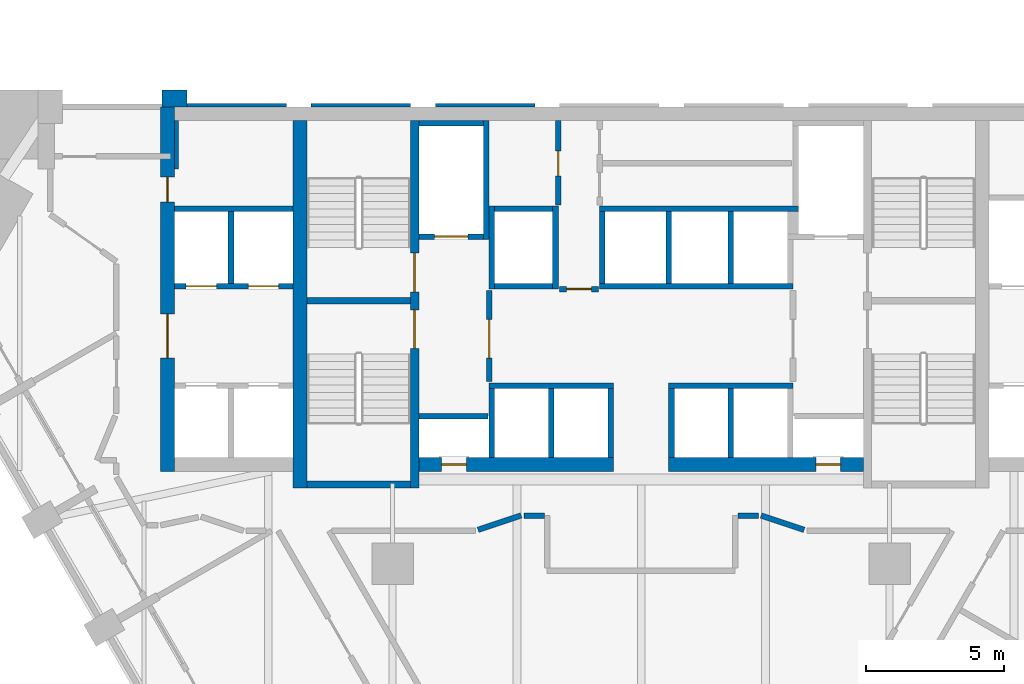
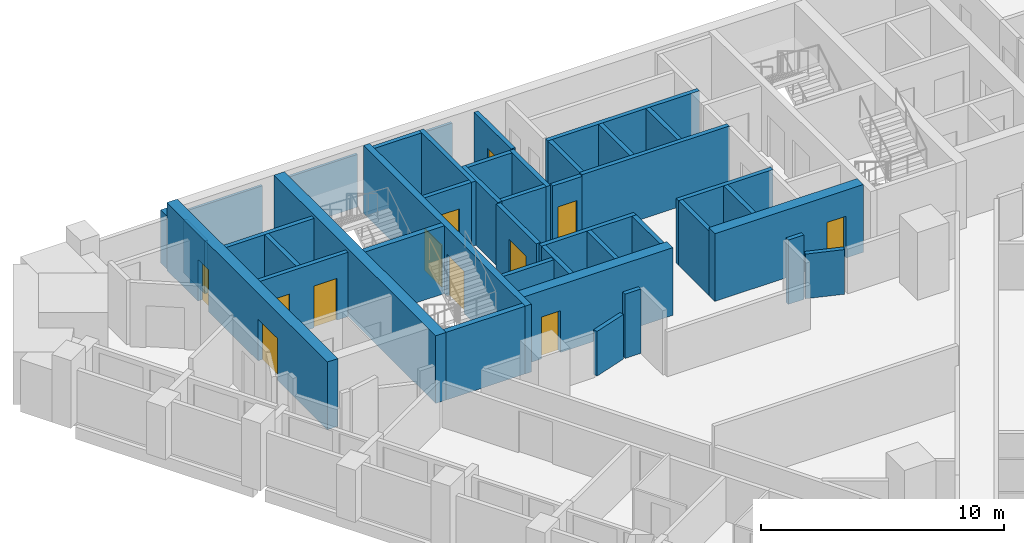
# One storey, part 7 of 11: 42 walls, 12 doors, 12 openings.
"""IFC4 building model written with IfcOpenShell, lengths in metres."""

from ifc_helpers import new_model, si_unit, direction, frame, frame_2d, origin, place, context, subcontext, project, spatial, polyline, rectangle, outline, extrude, material, layer, layer_set, type_object, element, fill, save


model = new_model("IFC4")

# Units and contexts
model_context = context("Model", 3, precision=1e-05, world=origin(), true_north=direction((0.0, 1.0)))
body_context = subcontext(model_context, "Body", "Model", "MODEL_VIEW")
ifc_project = project(units=[si_unit("LENGTHUNIT", "METRE"), si_unit("AREAUNIT", "SQUARE_METRE"), si_unit("VOLUMEUNIT", "CUBIC_METRE"), si_unit("PLANEANGLEUNIT", "RADIAN"), si_unit("MASSUNIT", "GRAM", prefix="KILO")], contexts=[model_context])

# Site, building, storey
site_placement = place(None, origin())
site = spatial("IfcSite", under=ifc_project, at=site_placement, CompositionType="ELEMENT")
building_placement = place(site_placement, origin())
building = spatial("IfcBuilding", under=site, at=building_placement, Name="Calabash Gate Tower", CompositionType="ELEMENT")
storey_placement = place(building_placement, frame((0.0, 0.0, 125.800048828125)))
storey = spatial("IfcBuildingStorey", under=building, at=storey_placement, Name="L29", CompositionType="ELEMENT", Elevation=125.800048828125)

# Walls
ifc_material_1 = material(Name="Terracotta brick masonry, exposed face", Category="masonry")
ifc_layer_1 = layer(ifc_material_1, 1.199951171875)
ifc_layer_set_1 = layer_set([ifc_layer_1], Name="Brick end wall 1200")
wall_type_1 = type_object("IfcWallType", Name="Brick end wall 1200", PredefinedType="SOLIDWALL", material=ifc_layer_set_1)
wall_1_placement = place(storey_placement, origin())
element("IfcWall", 1, at=wall_1_placement, inside=storey, type_object=wall_type_1, Name="Brick pier S08 N6.7", PredefinedType="SOLIDWALL", context=body_context, shape_type="SweptSolid", body=[
    extrude(outline(polyline([(-16.447021484375, 19.052490234375), (-16.447021484375, 19.652587890625), (-17.346923828125, 19.652587890625), (-17.346923828125, 19.052490234375), (-16.447021484375, 19.052490234375)])), origin(), (0.0, 0.0, 1.0), 2.64990234375),
])
ifc_material_2 = material(Name="Terracotta brick masonry, exposed face", Category="masonry")
ifc_layer_2 = layer(ifc_material_2, 0.300048828125)
ifc_layer_set_2 = layer_set([ifc_layer_2], Name="Brick loggia cheek wall 300")
wall_type_2 = type_object("IfcWallType", Name="Brick loggia cheek wall 300", PredefinedType="SOLIDWALL", material=ifc_layer_set_2)
wall_2_placement = place(storey_placement, origin())
element("IfcWall", 2, at=wall_2_placement, inside=storey, type_object=wall_type_2, Name="Loggia cheek S08 N6.7", PredefinedType="SOLIDWALL", context=body_context, shape_type="SweptSolid", body=[
    extrude(outline(polyline([(-16.89990234375, 18.5546875), (-16.746826171875, 18.5546875), (-16.746826171875, 16.802490234375), (-16.89990234375, 16.802490234375), (-16.89990234375, 18.5546875)])), origin(), (0.0, 0.0, 1.0), 2.64990234375),
])
ifc_material_3 = material(Name="Concrete C80/95", Category="concrete")
ifc_layer_3 = layer(ifc_material_3, 0.25)
ifc_layer_set_3 = layer_set([ifc_layer_3], Name="Core wall 250 Concrete C80/95")
wall_type_3 = type_object("IfcWallType", Name="Core wall 250 Concrete C80/95", PredefinedType="SHEAR", material=ifc_layer_set_3)
for number, where, z_axis, x_axis, name in (
    (3, (-12.10009765625, 12.027587890625, 0.0), (0.0, 0.0, 1.0), (1.0, 0.0, 0.0), "Core wall Z2-MIDW L29"),
    (4, (-12.10009765625, 5.377685546875, 0.0), (0.0, 0.0, 1.0), (1.0, 0.0, 0.0), "Core wall Z2-SSW L29"),
):
    element("IfcWall", number, at=place(storey_placement, frame(where, z_axis=z_axis, x_axis=x_axis)), inside=storey, type_object=wall_type_3, Name=name, PredefinedType="SHEAR", context=body_context, shape_type="SweptSolid", body=[
        extrude(rectangle(XDim=3.75, YDim=0.25, at=frame_2d((1.875, 0.0))), origin(), (0.0, 0.0, 1.0), 3.39990234375),
    ])

# Wall, openings, doors
ifc_material_4 = material(Name="Concrete C80/95", Category="concrete")
ifc_layer_4 = layer(ifc_material_4, 0.300048828125)
ifc_layer_set_4 = layer_set([ifc_layer_4], Name="Core wall 300 Concrete C80/95")
wall_type_4 = type_object("IfcWallType", Name="Core wall 300 Concrete C80/95", PredefinedType="SHEAR", material=ifc_layer_set_4)
wall_3_placement = place(storey_placement, frame((-8.199951171875, 5.252685546875, 0.0), z_axis=(0.0, 0.0, 1.0), x_axis=(0.0, 1.0, 0.0)))
wall_3 = element("IfcWall", 5, at=wall_3_placement, inside=storey, type_object=wall_type_4, Name="Core wall Z2-PARTW L29", PredefinedType="SHEAR", context=body_context, shape_type="SweptSolid", body=[
    extrude(rectangle(XDim=13.2998046875, YDim=0.300048828125, at=frame_2d((6.64990234375, 0.0))), origin(), (0.0, 0.0, 1.0), 3.39990234375),
])
opening_1_placement = place(wall_3_placement, frame((7.10009765625, 0.0, 0.0)))
opening_1 = element("IfcOpeningElement", 6, at=opening_1_placement, cuts=wall_3, Name="Opening H8-013", PredefinedType="OPENING", context=body_context, shape_type="SweptSolid", body=[
    extrude(rectangle(XDim=1.39990234375, YDim=2.10009765625, at=frame_2d((0.699951171875, 1.050048828125))), frame((0.0, 0.159912109375, 0.0), z_axis=(0.0, -1.0, 0.0), x_axis=(1.0, 0.0, 0.0)), (0.0, 0.0, 1.0), 0.320068359375),
])
opening_2_placement = place(wall_3_placement, frame((5.050048828125, 0.0, 0.0)))
opening_2 = element("IfcOpeningElement", 7, at=opening_2_placement, cuts=wall_3, Name="Opening H8-014", PredefinedType="OPENING", context=body_context, shape_type="SweptSolid", body=[
    extrude(rectangle(XDim=1.39990234375, YDim=2.10009765625, at=frame_2d((0.699951171875, 1.050048828125))), frame((0.0, 0.159912109375, 0.0), z_axis=(0.0, -1.0, 0.0), x_axis=(1.0, 0.0, 0.0)), (0.0, 0.0, 1.0), 0.320068359375),
])
ifc_material_5 = material(Name="Steel fire door set with fire-resisting glazing", Category="steel")
door_type_1 = type_object("IfcDoorType", Name="Fire door D05 1400x2100 FD90", OperationType="NOTDEFINED", PredefinedType="DOOR", material=ifc_material_5)
door_1_placement = place(opening_1_placement, origin())
door_1 = element("IfcDoor", 8, at=door_1_placement, inside=storey, type_object=door_type_1, Name="Exit stair door ST1", OperationType="SINGLE_SWING_LEFT", OverallHeight=2.10009765625, OverallWidth=1.39990234375, PredefinedType="DOOR", context=body_context, shape_type="SweptSolid", body=[
    extrude(rectangle(XDim=1.39990234375, YDim=2.10009765625, at=frame_2d((0.699951171875, 1.050048828125))), frame((0.0, 0.02490234375, 0.0), z_axis=(0.0, -1.0, 0.0), x_axis=(1.0, 0.0, 0.0)), (0.0, 0.0, 1.0), 0.050048828125),
])
fill(opening_1, door_1)
door_2_placement = place(opening_2_placement, origin())
door_2 = element("IfcDoor", 9, at=door_2_placement, inside=storey, type_object=door_type_1, Name="Exit stair door ST2", OperationType="SINGLE_SWING_LEFT", OverallHeight=2.10009765625, OverallWidth=1.39990234375, PredefinedType="DOOR", context=body_context, shape_type="SweptSolid", body=[
    extrude(rectangle(XDim=1.39990234375, YDim=2.10009765625, at=frame_2d((0.699951171875, 1.050048828125))), frame((0.0, 0.02490234375, 0.0), z_axis=(0.0, -1.0, 0.0), x_axis=(1.0, 0.0, 0.0)), (0.0, 0.0, 1.0), 0.050048828125),
])
fill(opening_2, door_2)

# Wall
ifc_material_6 = material(Name="Concrete C80/95", Category="concrete")
ifc_layer_5 = layer(ifc_material_6, 0.5)
ifc_layer_set_5 = layer_set([ifc_layer_5], Name="Core wall 500 Concrete C80/95")
wall_type_5 = type_object("IfcWallType", Name="Core wall 500 Concrete C80/95", PredefinedType="SHEAR", material=ifc_layer_set_5)
wall_4_placement = place(storey_placement, frame((-12.35009765625, 5.252685546875, 0.0), z_axis=(0.0, 0.0, 1.0), x_axis=(0.0, 1.0, 0.0)))
element("IfcWall", 10, at=wall_4_placement, inside=storey, type_object=wall_type_5, Name="Core wall Z2-COLW L29", PredefinedType="SHEAR", context=body_context, shape_type="SweptSolid", body=[
    extrude(rectangle(XDim=13.2998046875, YDim=0.5, at=frame_2d((6.64990234375, 0.0))), origin(), (0.0, 0.0, 1.0), 3.39990234375),
])

# Wall, opening, door
wall_5_placement = place(storey_placement, frame((-8.050048828125, 6.1025390625, 0.0), z_axis=(0.0, 0.0, 1.0), x_axis=(1.0, 0.0, 0.0)))
wall_5 = element("IfcWall", 11, at=wall_5_placement, inside=storey, type_object=wall_type_5, Name="Core wall Z2-SA L29", PredefinedType="SHEAR", context=body_context, shape_type="SweptSolid", body=[
    extrude(rectangle(XDim=7.050048828125, YDim=0.5, at=frame_2d((3.52490234375, 0.0))), origin(), (0.0, 0.0, 1.0), 3.39990234375),
])
opening_3_placement = place(wall_5_placement, frame((0.824951171875, 0.0, 0.0)))
opening_3 = element("IfcOpeningElement", 12, at=opening_3_placement, cuts=wall_5, Name="Opening H8-012", PredefinedType="OPENING", context=body_context, shape_type="SweptSolid", body=[
    extrude(rectangle(XDim=0.89990234375, YDim=2.10009765625, at=frame_2d((0.449951171875, 1.050048828125))), frame((0.0, 0.260009765625, 0.0), z_axis=(0.0, -1.0, 0.0), x_axis=(1.0, 0.0, 0.0)), (0.0, 0.0, 1.0), 0.52001953125),
])
ifc_material_7 = material(Name="Steel fire door set with fire-resisting glazing", Category="steel")
door_type_2 = type_object("IfcDoorType", Name="Fire door D07 900x2100 FD90", OperationType="NOTDEFINED", PredefinedType="DOOR", material=ifc_material_7)
door_3_placement = place(opening_3_placement, origin())
door_3 = element("IfcDoor", 13, at=door_3_placement, inside=storey, type_object=door_type_2, Name="Electrical Riser W door", OperationType="SINGLE_SWING_LEFT", OverallHeight=2.10009765625, OverallWidth=0.89990234375, PredefinedType="DOOR", context=body_context, shape_type="SweptSolid", body=[
    extrude(rectangle(XDim=0.89990234375, YDim=2.10009765625, at=frame_2d((0.449951171875, 1.050048828125))), frame((0.0, 0.02490234375, 0.0), z_axis=(0.0, -1.0, 0.0), x_axis=(1.0, 0.0, 0.0)), (0.0, 0.0, 1.0), 0.050048828125),
])
fill(opening_3, door_3)

wall_6_placement = place(storey_placement, frame((1.0, 6.1025390625, 0.0), z_axis=(0.0, 0.0, 1.0), x_axis=(1.0, 0.0, 0.0)))
wall_6 = element("IfcWall", 14, at=wall_6_placement, inside=storey, type_object=wall_type_5, Name="Core wall Z2-SB L29", PredefinedType="SHEAR", context=body_context, shape_type="SweptSolid", body=[
    extrude(rectangle(XDim=7.050048828125, YDim=0.5, at=frame_2d((3.52490234375, 0.0))), origin(), (0.0, 0.0, 1.0), 3.39990234375),
])
opening_4_placement = place(wall_6_placement, frame((5.324951171875, 0.0, 0.0)))
opening_4 = element("IfcOpeningElement", 15, at=opening_4_placement, cuts=wall_6, Name="Opening H8-011", PredefinedType="OPENING", context=body_context, shape_type="SweptSolid", body=[
    extrude(rectangle(XDim=0.89990234375, YDim=2.10009765625, at=frame_2d((0.449951171875, 1.050048828125))), frame((0.0, 0.260009765625, 0.0), z_axis=(0.0, -1.0, 0.0), x_axis=(1.0, 0.0, 0.0)), (0.0, 0.0, 1.0), 0.52001953125),
])
door_4_placement = place(opening_4_placement, origin())
door_4 = element("IfcDoor", 16, at=door_4_placement, inside=storey, type_object=door_type_2, Name="Mechanical Riser E door", OperationType="SINGLE_SWING_RIGHT", OverallHeight=2.10009765625, OverallWidth=0.89990234375, PredefinedType="DOOR", context=body_context, shape_type="SweptSolid", body=[
    extrude(rectangle(XDim=0.89990234375, YDim=2.10009765625, at=frame_2d((0.449951171875, 1.050048828125))), frame((0.0, 0.02490234375, 0.0), z_axis=(0.0, -1.0, 0.0), x_axis=(1.0, 0.0, 0.0)), (0.0, 0.0, 1.0), 0.050048828125),
])
fill(opening_4, door_4)

# Wall, openings, doors
wall_7_placement = place(storey_placement, frame((-17.14990234375, 5.8525390625, 0.0), z_axis=(0.0, 0.0, 1.0), x_axis=(0.0, 1.0, 0.0)))
wall_7 = element("IfcWall", 17, at=wall_7_placement, inside=storey, type_object=wall_type_5, Name="Core wall Z2-ENDW L29", PredefinedType="SHEAR", context=body_context, shape_type="SweptSolid", body=[
    extrude(rectangle(XDim=13.199951171875, YDim=0.5, at=frame_2d((6.60009765625, 0.0))), origin(), (0.0, 0.0, 1.0), 3.39990234375),
])
opening_5_placement = place(wall_7_placement, frame((4.10009765625, 0.0, 0.0)))
opening_5 = element("IfcOpeningElement", 18, at=opening_5_placement, cuts=wall_7, Name="Opening H8-003", PredefinedType="OPENING", context=body_context, shape_type="SweptSolid", body=[
    extrude(rectangle(XDim=1.60009765625, YDim=2.10009765625, at=frame_2d((0.800048828125, 1.050048828125))), frame((0.0, 0.260009765625, 0.0), z_axis=(0.0, -1.0, 0.0), x_axis=(1.0, 0.0, 0.0)), (0.0, 0.0, 1.0), 0.52001953125),
])
opening_6_placement = place(wall_7_placement, frame((9.75, 0.0, 0.0)))
opening_6 = element("IfcOpeningElement", 19, at=opening_6_placement, cuts=wall_7, Name="Opening H8-004", PredefinedType="OPENING", context=body_context, shape_type="SweptSolid", body=[
    extrude(rectangle(XDim=0.89990234375, YDim=2.10009765625, at=frame_2d((0.449951171875, 1.050048828125))), frame((0.0, 0.260009765625, 0.0), z_axis=(0.0, -1.0, 0.0), x_axis=(1.0, 0.0, 0.0)), (0.0, 0.0, 1.0), 0.52001953125),
])
ifc_material_8 = material(Name="Steel fire door set with fire-resisting glazing", Category="steel")
door_type_3 = type_object("IfcDoorType", Name="Double fire door D08 1600x2100 FD60", OperationType="DOUBLE_DOOR_SINGLE_SWING", PredefinedType="DOOR", material=ifc_material_8)
door_5_placement = place(opening_5_placement, origin())
door_5 = element("IfcDoor", 20, at=door_5_placement, inside=storey, type_object=door_type_3, Name="Low-rise Lift Lobby W door", OperationType="DOUBLE_DOOR_SINGLE_SWING", OverallHeight=2.10009765625, OverallWidth=1.60009765625, PredefinedType="DOOR", context=body_context, shape_type="SweptSolid", body=[
    extrude(rectangle(XDim=1.60009765625, YDim=2.10009765625, at=frame_2d((0.800048828125, 1.050048828125))), frame((0.0, 0.02490234375, 0.0), z_axis=(0.0, -1.0, 0.0), x_axis=(1.0, 0.0, 0.0)), (0.0, 0.0, 1.0), 0.050048828125),
])
fill(opening_5, door_5)
ifc_material_9 = material(Name="Steel fire door set with fire-resisting glazing", Category="steel")
door_type_4 = type_object("IfcDoorType", Name="Fire door D06 900x2100 FD60", OperationType="NOTDEFINED", PredefinedType="DOOR", material=ifc_material_9)
door_6_placement = place(opening_6_placement, origin())
door_6 = element("IfcDoor", 21, at=door_6_placement, inside=storey, type_object=door_type_4, Name="Luggage Store door", OperationType="SINGLE_SWING_RIGHT", OverallHeight=2.10009765625, OverallWidth=0.89990234375, PredefinedType="DOOR", context=body_context, shape_type="SweptSolid", body=[
    extrude(rectangle(XDim=0.89990234375, YDim=2.10009765625, at=frame_2d((0.449951171875, 1.050048828125))), frame((0.0, 0.02490234375, 0.0), z_axis=(0.0, -1.0, 0.0), x_axis=(1.0, 0.0, 0.0)), (0.0, 0.0, 1.0), 0.050048828125),
])
fill(opening_6, door_6)

# Walls
ifc_material_10 = material(Name="Gypsum board on steel studs, mineral wool", Category="steel")
ifc_layer_6 = layer(ifc_material_10, 0.199951171875)
ifc_layer_set_6 = layer_set([ifc_layer_6], Name="Partition 200 gypsum board EI 60")
wall_type_6 = type_object("IfcWallType", Name="Partition 200 gypsum board EI 60", PredefinedType="PARTITIONING", material=ifc_layer_set_6)
for number, where, z_axis, x_axis, name in (
    (22, (4.34228515625, 4.25244140625, 0.0), (0.0, 0.0, 1.0), (0.948668476379, -0.316272227557, 0.0), "Partition"),
    (23, (-5.905029296875, 3.7314453125, 0.0), (0.0, 0.0, 1.0), (0.948668476379, 0.316272227557, 0.0), "Partition"),
):
    element("IfcWall", number, at=place(storey_placement, frame(where, z_axis=z_axis, x_axis=x_axis)), inside=storey, type_object=wall_type_6, Name=name, PredefinedType="PARTITIONING", context=body_context, shape_type="SweptSolid", body=[
        extrude(rectangle(XDim=1.647216796875, YDim=0.199951171875, at=frame_2d((0.82373046875, 0.0))), origin(), (0.0, 0.0, 1.0), 2.24169921875),
    ])
for number, where, z_axis, x_axis, name in (
    (24, (-4.2421875, 4.252197265625, 0.0), (0.0, 0.0, 1.0), (0.999998041999, -0.001978887946, 0.0), "Partition"),
    (25, (3.501953125, 4.250732421875, 0.0), (0.0, 0.0, 1.0), (0.999998041999, 0.001978887946, 0.0), "Partition"),
):
    element("IfcWall", number, at=place(storey_placement, frame(where, z_axis=z_axis, x_axis=x_axis)), inside=storey, type_object=wall_type_6, Name=name, PredefinedType="PARTITIONING", context=body_context, shape_type="SweptSolid", body=[
        extrude(rectangle(XDim=0.740234375, YDim=0.199951171875, at=frame_2d((0.3701171875, 0.0))), origin(), (0.0, 0.0, 1.0), 3.22998046875),
    ])
ifc_material_11 = material(Name="Concrete C40/50", Category="concrete")
ifc_layer_7 = layer(ifc_material_11, 0.199951171875)
ifc_layer_set_7 = layer_set([ifc_layer_7], Name="Shaft wall 200 Concrete C40/50")
wall_type_7 = type_object("IfcWallType", Name="Shaft wall 200 Concrete C40/50", PredefinedType="SOLIDWALL", material=ifc_layer_set_7)
for number, where, z_axis, x_axis, name in (
    (26, (-5.39990234375, 6.3525390625, 0.0), (0.0, 0.0, 1.0), (0.0, 1.0, 0.0), "Shaft wall"),
    (27, (-3.25, 6.3525390625, 0.0), (0.0, 0.0, 1.0), (0.0, 1.0, 0.0), "Shaft wall"),
    (28, (-1.10009765625, 6.3525390625, 0.0), (0.0, 0.0, 1.0), (0.0, 1.0, 0.0), "Shaft wall"),
    (29, (1.10009765625, 6.3525390625, 0.0), (0.0, 0.0, 1.0), (0.0, 1.0, 0.0), "Shaft wall"),
    (30, (3.25, 6.3525390625, 0.0), (0.0, 0.0, 1.0), (0.0, 1.0, 0.0), "Shaft wall"),
    (31, (-8.050048828125, 7.8525390625, 0.0), (0.0, 0.0, 1.0), (1.0, 0.0, 0.0), "Shaft wall"),
):
    element("IfcWall", number, at=place(storey_placement, frame(where, z_axis=z_axis, x_axis=x_axis)), inside=storey, type_object=wall_type_7, Name=name, PredefinedType="SOLIDWALL", context=body_context, shape_type="SweptSolid", body=[
        extrude(rectangle(XDim=2.5, YDim=0.199951171875, at=frame_2d((1.25, 0.0))), origin(), (0.0, 0.0, 1.0), 3.22998046875),
    ])
for number, where, z_axis, x_axis, name in (
    (32, (-5.5, 8.95263671875, 0.0), (0.0, 0.0, 1.0), (1.0, 0.0, 0.0), "Shaft wall"),
    (33, (1.0, 8.95263671875, 0.0), (0.0, 0.0, 1.0), (1.0, 0.0, 0.0), "Shaft wall"),
):
    element("IfcWall", number, at=place(storey_placement, frame(where, z_axis=z_axis, x_axis=x_axis)), inside=storey, type_object=wall_type_7, Name=name, PredefinedType="SOLIDWALL", context=body_context, shape_type="SweptSolid", body=[
        extrude(rectangle(XDim=4.5, YDim=0.199951171875, at=frame_2d((2.25, 0.0))), origin(), (0.0, 0.0, 1.0), 3.22998046875),
    ])

# Wall, opening, door
wall_8_placement = place(storey_placement, frame((-5.5, 9.1025390625, 0.0), z_axis=(0.0, 0.0, 1.0), x_axis=(0.0, 1.0, 0.0)))
wall_8 = element("IfcWall", 34, at=wall_8_placement, inside=storey, type_object=wall_type_7, Name="Shaft wall", PredefinedType="SOLIDWALL", context=body_context, shape_type="SweptSolid", body=[
    extrude(rectangle(XDim=3.300048828125, YDim=0.199951171875, at=frame_2d((1.64990234375, 0.0))), origin(), (0.0, 0.0, 1.0), 3.22998046875),
])
opening_7_placement = place(wall_8_placement, frame((0.85009765625, 0.0, 0.0)))
opening_7 = element("IfcOpeningElement", 35, at=opening_7_placement, cuts=wall_8, Name="Opening H8-007", PredefinedType="OPENING", context=body_context, shape_type="SweptSolid", body=[
    extrude(rectangle(XDim=1.39990234375, YDim=2.10009765625, at=frame_2d((0.699951171875, 1.050048828125))), frame((0.0, 0.10986328125, 0.0), z_axis=(0.0, -1.0, 0.0), x_axis=(1.0, 0.0, 0.0)), (0.0, 0.0, 1.0), 0.219970703125),
])
door_7_placement = place(opening_7_placement, origin())
door_7 = element("IfcDoor", 36, at=door_7_placement, inside=storey, type_object=door_type_1, Name="Firefighting Lobby W door", OperationType="SINGLE_SWING_RIGHT", OverallHeight=2.10009765625, OverallWidth=1.39990234375, PredefinedType="DOOR", context=body_context, shape_type="SweptSolid", body=[
    extrude(rectangle(XDim=1.39990234375, YDim=2.10009765625, at=frame_2d((0.699951171875, 1.050048828125))), frame((0.0, 0.02490234375, 0.0), z_axis=(0.0, -1.0, 0.0), x_axis=(1.0, 0.0, 0.0)), (0.0, 0.0, 1.0), 0.050048828125),
])
fill(opening_7, door_7)

wall_9_placement = place(storey_placement, frame((-2.949951171875, 12.45263671875, 0.0), z_axis=(0.0, 0.0, 1.0), x_axis=(1.0, 0.0, 0.0)))
wall_9 = element("IfcWall", 37, at=wall_9_placement, inside=storey, type_object=wall_type_7, Name="Shaft wall", PredefinedType="SOLIDWALL", context=body_context, shape_type="SweptSolid", body=[
    extrude(rectangle(XDim=1.39990234375, YDim=0.199951171875, at=frame_2d((0.699951171875, 0.0))), origin(), (0.0, 0.0, 1.0), 3.22998046875),
])
opening_8_placement = place(wall_9_placement, frame((0.25, 0.0, 0.0)))
opening_8 = element("IfcOpeningElement", 38, at=opening_8_placement, cuts=wall_9, Name="Opening H8-005", PredefinedType="OPENING", context=body_context, shape_type="SweptSolid", body=[
    extrude(rectangle(XDim=0.89990234375, YDim=2.10009765625, at=frame_2d((0.449951171875, 1.050048828125))), frame((0.0, 0.10986328125, 0.0), z_axis=(0.0, -1.0, 0.0), x_axis=(1.0, 0.0, 0.0)), (0.0, 0.0, 1.0), 0.219970703125),
])
door_8_placement = place(opening_8_placement, origin())
door_8 = element("IfcDoor", 39, at=door_8_placement, inside=storey, type_object=door_type_4, Name="Service Corridor door", OperationType="SINGLE_SWING_RIGHT", OverallHeight=2.10009765625, OverallWidth=0.89990234375, PredefinedType="DOOR", context=body_context, shape_type="SweptSolid", body=[
    extrude(rectangle(XDim=0.89990234375, YDim=2.10009765625, at=frame_2d((0.449951171875, 1.050048828125))), frame((0.0, 0.02490234375, 0.0), z_axis=(0.0, -1.0, 0.0), x_axis=(1.0, 0.0, 0.0)), (0.0, 0.0, 1.0), 0.050048828125),
])
fill(opening_8, door_8)

# Wall, openings, doors
wall_10_placement = place(storey_placement, frame((-16.89990234375, 12.552490234375, 0.0), z_axis=(0.0, 0.0, 1.0), x_axis=(1.0, 0.0, 0.0)))
wall_10 = element("IfcWall", 40, at=wall_10_placement, inside=storey, type_object=wall_type_7, Name="Shaft wall", PredefinedType="SOLIDWALL", context=body_context, shape_type="SweptSolid", body=[
    extrude(rectangle(XDim=4.2998046875, YDim=0.199951171875, at=frame_2d((2.14990234375, 0.0))), origin(), (0.0, 0.0, 1.0), 3.22998046875),
])
opening_9_placement = place(wall_10_placement, frame((2.675048828125, 0.0, 0.0)))
opening_9 = element("IfcOpeningElement", 41, at=opening_9_placement, cuts=wall_10, Name="Opening LD-LR3", PredefinedType="OPENING", context=body_context, shape_type="SweptSolid", body=[
    extrude(rectangle(XDim=1.10009765625, YDim=2.10009765625, at=frame_2d((0.550048828125, 1.050048828125))), frame((0.0, 0.10986328125, 0.0), z_axis=(0.0, -1.0, 0.0), x_axis=(1.0, 0.0, 0.0)), (0.0, 0.0, 1.0), 0.219970703125),
])
opening_10_placement = place(wall_10_placement, frame((0.425048828125, 0.0, 0.0)))
opening_10 = element("IfcOpeningElement", 42, at=opening_10_placement, cuts=wall_10, Name="Opening LD-LR4", PredefinedType="OPENING", context=body_context, shape_type="SweptSolid", body=[
    extrude(rectangle(XDim=1.10009765625, YDim=2.10009765625, at=frame_2d((0.550048828125, 1.050048828125))), frame((0.0, 0.10986328125, 0.0), z_axis=(0.0, -1.0, 0.0), x_axis=(1.0, 0.0, 0.0)), (0.0, 0.0, 1.0), 0.219970703125),
])
ifc_material_12 = material(Name="Stainless steel sliding door leaves", Category="steel")
door_type_5 = type_object("IfcDoorType", Name="Lift landing door LS1 1100x2100 FD90", OperationType="DOUBLE_DOOR_SLIDING", PredefinedType="DOOR", material=ifc_material_12)
door_9_placement = place(opening_9_placement, origin())
door_9 = element("IfcDoor", 43, at=door_9_placement, inside=storey, type_object=door_type_5, Name="Lift landing door LR3", OperationType="DOUBLE_DOOR_SLIDING", OverallHeight=2.10009765625, OverallWidth=1.10009765625, PredefinedType="DOOR", context=body_context, shape_type="SweptSolid", body=[
    extrude(rectangle(XDim=1.10009765625, YDim=2.10009765625, at=frame_2d((0.550048828125, 1.050048828125))), frame((0.0, 0.02490234375, 0.0), z_axis=(0.0, -1.0, 0.0), x_axis=(1.0, 0.0, 0.0)), (0.0, 0.0, 1.0), 0.050048828125),
])
fill(opening_9, door_9)
door_10_placement = place(opening_10_placement, origin())
door_10 = element("IfcDoor", 44, at=door_10_placement, inside=storey, type_object=door_type_5, Name="Lift landing door LR4", OperationType="DOUBLE_DOOR_SLIDING", OverallHeight=2.10009765625, OverallWidth=1.10009765625, PredefinedType="DOOR", context=body_context, shape_type="SweptSolid", body=[
    extrude(rectangle(XDim=1.10009765625, YDim=2.10009765625, at=frame_2d((0.550048828125, 1.050048828125))), frame((0.0, 0.02490234375, 0.0), z_axis=(0.0, -1.0, 0.0), x_axis=(1.0, 0.0, 0.0)), (0.0, 0.0, 1.0), 0.050048828125),
])
fill(opening_10, door_10)

# Walls
wall_11_placement = place(storey_placement, frame((-5.39990234375, 12.45263671875, 0.0), z_axis=(0.0, 0.0, 1.0), x_axis=(0.0, 1.0, 0.0)))
element("IfcWall", 45, at=wall_11_placement, inside=storey, type_object=wall_type_7, Name="Shaft wall", PredefinedType="SOLIDWALL", context=body_context, shape_type="SweptSolid", body=[
    extrude(rectangle(XDim=3.0, YDim=0.199951171875, at=frame_2d((1.5, 0.0))), origin(), (0.0, 0.0, 1.0), 3.22998046875),
])
wall_12_placement = place(storey_placement, frame((-5.300048828125, 12.552490234375, 0.0), z_axis=(0.0, 0.0, 1.0), x_axis=(1.0, 0.0, 0.0)))
element("IfcWall", 46, at=wall_12_placement, inside=storey, type_object=wall_type_7, Name="Shaft wall", PredefinedType="SOLIDWALL", context=body_context, shape_type="SweptSolid", body=[
    extrude(rectangle(XDim=2.10009765625, YDim=0.199951171875, at=frame_2d((1.050048828125, 0.0))), origin(), (0.0, 0.0, 1.0), 3.22998046875),
])
wall_13_placement = place(storey_placement, frame((-3.10009765625, 12.45263671875, 0.0), z_axis=(0.0, 0.0, 1.0), x_axis=(0.0, 1.0, 0.0)))
element("IfcWall", 47, at=wall_13_placement, inside=storey, type_object=wall_type_7, Name="Shaft wall", PredefinedType="SOLIDWALL", context=body_context, shape_type="SweptSolid", body=[
    extrude(rectangle(XDim=3.0, YDim=0.199951171875, at=frame_2d((1.5, 0.0))), origin(), (0.0, 0.0, 1.0), 3.22998046875),
])
wall_14_placement = place(storey_placement, frame((-1.5, 12.552490234375, 0.0), z_axis=(0.0, 0.0, 1.0), x_axis=(1.0, 0.0, 0.0)))
element("IfcWall", 48, at=wall_14_placement, inside=storey, type_object=wall_type_7, Name="Shaft wall", PredefinedType="SOLIDWALL", context=body_context, shape_type="SweptSolid", body=[
    extrude(rectangle(XDim=7.0, YDim=0.199951171875, at=frame_2d((3.5, 0.0))), origin(), (0.0, 0.0, 1.0), 3.22998046875),
])
for number, where, z_axis, x_axis, name in (
    (49, (-14.85009765625, 12.652587890625, 0.0), (0.0, 0.0, 1.0), (0.0, 1.0, 0.0), "Shaft wall"),
    (50, (-1.39990234375, 12.652587890625, 0.0), (0.0, 0.0, 1.0), (0.0, 1.0, 0.0), "Shaft wall"),
    (51, (1.0, 12.652587890625, 0.0), (0.0, 0.0, 1.0), (0.0, 1.0, 0.0), "Shaft wall"),
    (52, (3.25, 12.652587890625, 0.0), (0.0, 0.0, 1.0), (0.0, 1.0, 0.0), "Shaft wall"),
):
    element("IfcWall", number, at=place(storey_placement, frame(where, z_axis=z_axis, x_axis=x_axis)), inside=storey, type_object=wall_type_7, Name=name, PredefinedType="SOLIDWALL", context=body_context, shape_type="SweptSolid", body=[
        extrude(rectangle(XDim=2.60009765625, YDim=0.199951171875, at=frame_2d((1.300048828125, 0.0))), origin(), (0.0, 0.0, 1.0), 3.22998046875),
    ])

# Wall, opening, door
wall_15_placement = place(storey_placement, frame((-8.050048828125, 14.3525390625, 0.0), z_axis=(0.0, 0.0, 1.0), x_axis=(1.0, 0.0, 0.0)))
wall_15 = element("IfcWall", 53, at=wall_15_placement, inside=storey, type_object=wall_type_7, Name="Shaft wall", PredefinedType="SOLIDWALL", context=body_context, shape_type="SweptSolid", body=[
    extrude(rectangle(XDim=2.35009765625, YDim=0.199951171875, at=frame_2d((1.175048828125, 0.0))), origin(), (0.0, 0.0, 1.0), 3.22998046875),
])
opening_11_placement = place(wall_15_placement, frame((0.574951171875, 0.0, 0.0)))
opening_11 = element("IfcOpeningElement", 54, at=opening_11_placement, cuts=wall_15, Name="Opening LD-FF1", PredefinedType="OPENING", context=body_context, shape_type="SweptSolid", body=[
    extrude(rectangle(XDim=1.199951171875, YDim=2.10009765625, at=frame_2d((0.60009765625, 1.050048828125))), frame((0.0, 0.10986328125, 0.0), z_axis=(0.0, -1.0, 0.0), x_axis=(1.0, 0.0, 0.0)), (0.0, 0.0, 1.0), 0.219970703125),
])
ifc_material_13 = material(Name="Stainless steel sliding door leaves", Category="steel")
door_type_6 = type_object("IfcDoorType", Name="Lift landing door LS3 1200x2100 FD90", OperationType="DOUBLE_DOOR_SLIDING", PredefinedType="DOOR", material=ifc_material_13)
door_11_placement = place(opening_11_placement, origin())
door_11 = element("IfcDoor", 55, at=door_11_placement, inside=storey, type_object=door_type_6, Name="Lift landing door FF1", OperationType="DOUBLE_DOOR_SLIDING", OverallHeight=2.10009765625, OverallWidth=1.199951171875, PredefinedType="DOOR", context=body_context, shape_type="SweptSolid", body=[
    extrude(rectangle(XDim=1.199951171875, YDim=2.10009765625, at=frame_2d((0.60009765625, 1.050048828125))), frame((0.0, 0.02490234375, 0.0), z_axis=(0.0, -1.0, 0.0), x_axis=(1.0, 0.0, 0.0)), (0.0, 0.0, 1.0), 0.050048828125),
])
fill(opening_11, door_11)

# Walls
for number, where, z_axis, x_axis, name in (
    (56, (-5.60009765625, 14.252685546875, 0.0), (0.0, 0.0, 1.0), (0.0, 1.0, 0.0), "Shaft wall"),
    (57, (-16.89990234375, 15.3525390625, 0.0), (0.0, 0.0, 1.0), (1.0, 0.0, 0.0), "Shaft wall"),
):
    element("IfcWall", number, at=place(storey_placement, frame(where, z_axis=z_axis, x_axis=x_axis)), inside=storey, type_object=wall_type_7, Name=name, PredefinedType="SOLIDWALL", context=body_context, shape_type="SweptSolid", body=[
        extrude(rectangle(XDim=4.2998046875, YDim=0.199951171875, at=frame_2d((2.14990234375, 0.0))), origin(), (0.0, 0.0, 1.0), 3.22998046875),
    ])
wall_16_placement = place(storey_placement, frame((-5.300048828125, 15.3525390625, 0.0), z_axis=(0.0, 0.0, 1.0), x_axis=(1.0, 0.0, 0.0)))
element("IfcWall", 58, at=wall_16_placement, inside=storey, type_object=wall_type_7, Name="Shaft wall", PredefinedType="SOLIDWALL", context=body_context, shape_type="SweptSolid", body=[
    extrude(rectangle(XDim=2.10009765625, YDim=0.199951171875, at=frame_2d((1.050048828125, 0.0))), origin(), (0.0, 0.0, 1.0), 3.22998046875),
])
wall_17_placement = place(storey_placement, frame((-1.5, 15.3525390625, 0.0), z_axis=(0.0, 0.0, 1.0), x_axis=(1.0, 0.0, 0.0)))
element("IfcWall", 59, at=wall_17_placement, inside=storey, type_object=wall_type_7, Name="Shaft wall", PredefinedType="SOLIDWALL", context=body_context, shape_type="SweptSolid", body=[
    extrude(rectangle(XDim=7.199951171875, YDim=0.199951171875, at=frame_2d((3.60009765625, 0.0))), origin(), (0.0, 0.0, 1.0), 3.22998046875),
])

# Wall, opening, door
wall_18_placement = place(storey_placement, frame((-3.0, 15.502685546875, 0.0), z_axis=(0.0, 0.0, 1.0), x_axis=(0.0, 1.0, 0.0)))
wall_18 = element("IfcWall", 60, at=wall_18_placement, inside=storey, type_object=wall_type_7, Name="Shaft wall", PredefinedType="SOLIDWALL", context=body_context, shape_type="SweptSolid", body=[
    extrude(rectangle(XDim=3.0498046875, YDim=0.199951171875, at=frame_2d((1.52490234375, 0.0))), origin(), (0.0, 0.0, 1.0), 3.22998046875),
])
opening_12_placement = place(wall_18_placement, frame((1.050048828125, 0.0, 0.0)))
opening_12 = element("IfcOpeningElement", 61, at=opening_12_placement, cuts=wall_18, Name="Opening H8-008", PredefinedType="OPENING", context=body_context, shape_type="SweptSolid", body=[
    extrude(rectangle(XDim=0.89990234375, YDim=2.10009765625, at=frame_2d((0.449951171875, 1.050048828125))), frame((0.0, 0.10986328125, 0.0), z_axis=(0.0, -1.0, 0.0), x_axis=(1.0, 0.0, 0.0)), (0.0, 0.0, 1.0), 0.219970703125),
])
door_12_placement = place(opening_12_placement, origin())
door_12 = element("IfcDoor", 62, at=door_12_placement, inside=storey, type_object=door_type_4, Name="Linen Store door", OperationType="SINGLE_SWING_LEFT", OverallHeight=2.10009765625, OverallWidth=0.89990234375, PredefinedType="DOOR", context=body_context, shape_type="SweptSolid", body=[
    extrude(rectangle(XDim=0.89990234375, YDim=2.10009765625, at=frame_2d((0.449951171875, 1.050048828125))), frame((0.0, 0.02490234375, 0.0), z_axis=(0.0, -1.0, 0.0), x_axis=(1.0, 0.0, 0.0)), (0.0, 0.0, 1.0), 0.050048828125),
])
fill(opening_12, door_12)

# Walls
wall_19_placement = place(storey_placement, frame((-8.050048828125, 18.45263671875, 0.0), z_axis=(0.0, 0.0, 1.0), x_axis=(1.0, 0.0, 0.0)))
element("IfcWall", 63, at=wall_19_placement, inside=storey, type_object=wall_type_7, Name="Shaft wall", PredefinedType="SOLIDWALL", context=body_context, shape_type="SweptSolid", body=[
    extrude(rectangle(XDim=2.35009765625, YDim=0.199951171875, at=frame_2d((1.175048828125, 0.0))), origin(), (0.0, 0.0, 1.0), 3.22998046875),
])
ifc_material_14 = material(Name="Terracotta brick masonry, perforated", Category="masonry")
ifc_layer_8 = layer(ifc_material_14, 0.1201171875)
ifc_layer_set_8 = layer_set([ifc_layer_8], Name="Terracotta jaali cladding B 120")
wall_type_8 = type_object("IfcWallType", Name="Terracotta jaali cladding B 120", PredefinedType="SOLIDWALL", material=ifc_layer_set_8)
wall_20_placement = place(storey_placement, origin())
element("IfcWall", 64, at=wall_20_placement, inside=storey, type_object=wall_type_8, Name="Jaali cladding S08 N6.5", PredefinedType="SOLIDWALL", context=body_context, shape_type="SweptSolid", body=[
    extrude(outline(polyline([(-7.447021484375, 19.172607421875), (-7.447021484375, 19.052490234375), (-3.846923828125, 19.052490234375), (-3.846923828125, 19.172607421875), (-7.447021484375, 19.172607421875)])), origin(), (0.0, 0.0, 1.0), 2.64990234375),
])
wall_21_placement = place(storey_placement, origin())
element("IfcWall", 65, at=wall_21_placement, inside=storey, type_object=wall_type_8, Name="Jaali cladding S08 N6.7", PredefinedType="SOLIDWALL", context=body_context, shape_type="SweptSolid", body=[
    extrude(outline(polyline([(-16.4462890625, 19.172607421875), (-16.4462890625, 19.052490234375), (-12.846923828125, 19.052490234375), (-12.846923828125, 19.172607421875), (-16.4462890625, 19.172607421875)])), origin(), (0.0, 0.0, 1.0), 2.64990234375),
])
ifc_material_15 = material(Name="Terracotta louvre blades in an aluminium frame", Category="masonry")
ifc_layer_9 = layer(ifc_material_15, 0.1201171875)
ifc_layer_set_9 = layer_set([ifc_layer_9], Name="Terracotta vent louvre cladding 120")
wall_type_9 = type_object("IfcWallType", Name="Terracotta vent louvre cladding 120", PredefinedType="ELEMENTEDWALL", material=ifc_layer_set_9)
wall_22_placement = place(storey_placement, origin())
element("IfcWall", 66, at=wall_22_placement, inside=storey, type_object=wall_type_9, Name="Vent louvre cladding S08 N6.6", PredefinedType="ELEMENTEDWALL", context=body_context, shape_type="SweptSolid", body=[
    extrude(outline(polyline([(-11.947021484375, 19.172607421875), (-11.947021484375, 19.052490234375), (-8.346923828125, 19.052490234375), (-8.346923828125, 19.172607421875), (-11.947021484375, 19.172607421875)])), origin(), (0.0, 0.0, 1.0), 2.64990234375),
])

save(model, "model.ifc")
